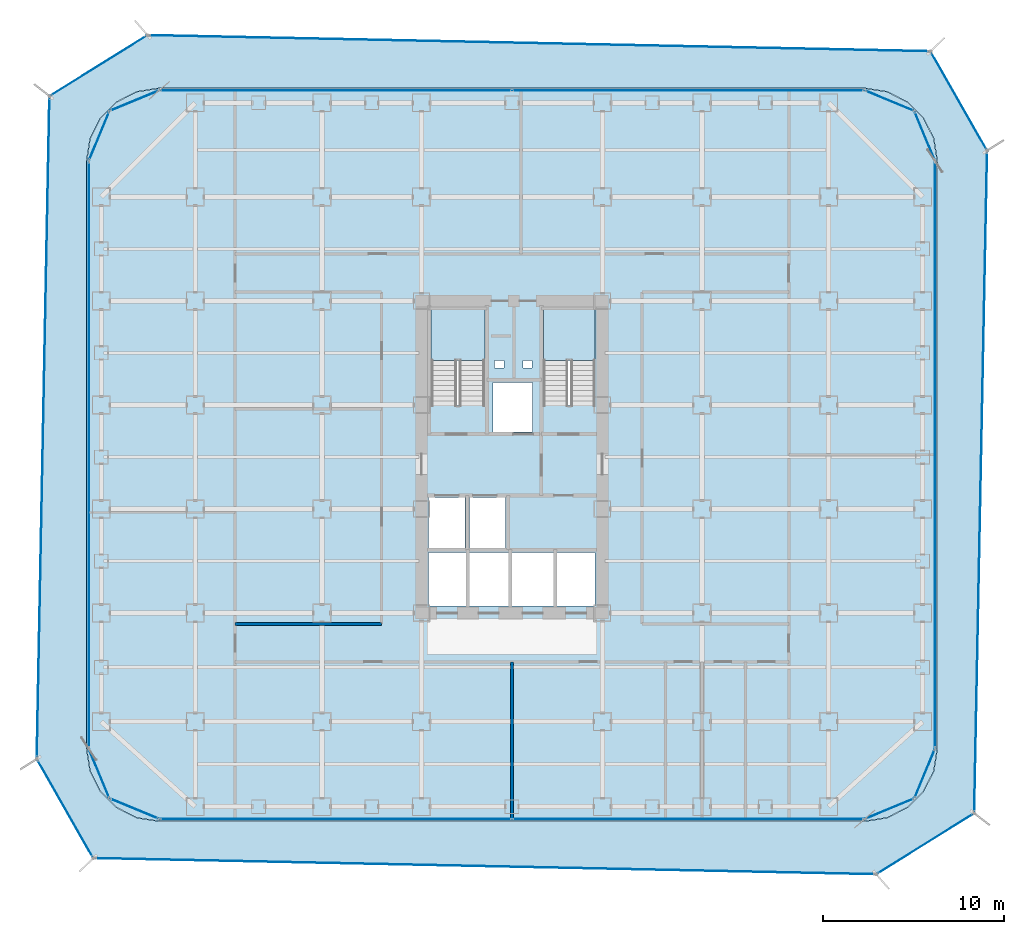
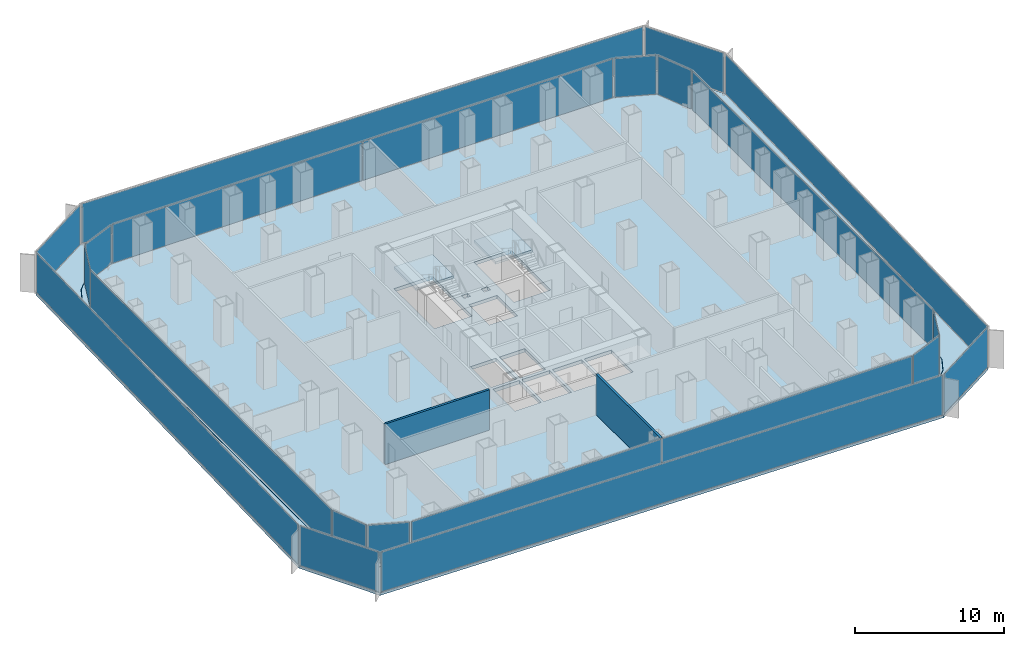
# One storey, part 16 of 21: 22 plates, 4 slabs, 2 walls, 22 elements without a shape of their own.
"""IFC4 building model written with IfcOpenShell, lengths in metres."""

import ifcopenshell
import ifcopenshell.guid

model = None  # the IFC model being written
_history = None  # IfcOwnerHistory: only IFC2X3 demands one
_inside = {}  # id of a spatial element -> (the spatial element, [elements in it])
_under = {}  # id of a project, library or spatial element -> (it, [spatial elements below it])
_declared = {}  # id of a project -> (the project, [libraries it declares])
_typed = {}  # id of a type object -> (the type object, [elements of that type])
_made_of = {}  # id of a material, layer set ... -> (it, [elements and type objects made of it])


def new_model(schema):
    """Start an empty IFC model of exactly this schema.

    Asked for "IFC4X3", IfcOpenShell would pick the latest addendum, in which some entities
    have other attributes; the version numbers below select the first issue.
    IFC2X3 requires an IfcOwnerHistory on every rooted entity: one is made here for all.
    """
    global model, _history
    if schema == "IFC4X3":
        model = ifcopenshell.file(schema_version=(4, 3, 0, 0))
    else:
        model = ifcopenshell.file(schema=schema)
    _inside.clear()
    _under.clear()
    _declared.clear()
    _typed.clear()
    _made_of.clear()
    _history = None
    if model.schema == "IFC2X3":
        org = make("IfcOrganization", Name="unknown")
        user = make(
            "IfcPersonAndOrganization",
            ThePerson=make("IfcPerson", FamilyName="unknown"),
            TheOrganization=org,
        )
        app = make(
            "IfcApplication",
            ApplicationDeveloper=org,
            Version="unknown",
            ApplicationFullName="unknown",
            ApplicationIdentifier="unknown",
        )
        _history = make(
            "IfcOwnerHistory",
            OwningUser=user,
            OwningApplication=app,
            ChangeAction="ADDED",
            CreationDate=0,
        )
    return model


def make(cls, **values):
    """One entity of the class cls with the attributes given. An attribute that is None is left unset."""
    return model.create_entity(
        cls, **{name: value for name, value in values.items() if value is not None}
    )


def rooted(cls, **values):
    """An entity with a GlobalId (a new one), such as an element, a storey or a relation."""
    return make(cls, GlobalId=ifcopenshell.guid.new(), OwnerHistory=_history, **values)


def si_unit(unit_type, name, prefix=None):
    """IfcSIUnit, for example si_unit("LENGTHUNIT", "METRE", prefix="MILLI")."""
    return make("IfcSIUnit", UnitType=unit_type, Prefix=prefix, Name=name)


def assignment(units):
    """IfcUnitAssignment: the units of a project."""
    return None if units is None else make("IfcUnitAssignment", Units=units)


def point(xyz):
    """IfcCartesianPoint."""
    return None if xyz is None else make("IfcCartesianPoint", Coordinates=xyz)


def direction(xyz):
    """IfcDirection."""
    return None if xyz is None else make("IfcDirection", DirectionRatios=xyz)


def frame(location, z_axis=None, x_axis=None):
    """IfcAxis2Placement3D, a coordinate frame: its origin and axes. An axis left out is left unset."""
    return make(
        "IfcAxis2Placement3D",
        Location=point(location),
        Axis=direction(z_axis),
        RefDirection=direction(x_axis),
    )


def frame_2d(location, x_axis=None):
    """IfcAxis2Placement2D, a coordinate frame in the plane: its origin and x axis."""
    return make(
        "IfcAxis2Placement2D", Location=point(location), RefDirection=direction(x_axis)
    )


def origin():
    """The frame at (0, 0, 0) with its axes left unset."""
    return frame((0.0, 0.0, 0.0))


def origin_2d():
    """The frame at (0, 0) in the plane with its x axis left unset."""
    return frame_2d((0.0, 0.0))


def place(relative_to, where):
    """IfcLocalPlacement: puts the frame where relative to a parent placement (None: the world)."""
    return make(
        "IfcLocalPlacement", PlacementRelTo=relative_to, RelativePlacement=where
    )


def context(
    kind, dimensions, precision=None, world=None, true_north=None, identifier=None
):
    """IfcGeometricRepresentationContext, for example the 3D "Model" context."""
    return make(
        "IfcGeometricRepresentationContext",
        ContextIdentifier=identifier,
        ContextType=kind,
        CoordinateSpaceDimension=dimensions,
        Precision=precision,
        WorldCoordinateSystem=world,
        TrueNorth=true_north,
    )


def subcontext(parent, identifier, kind, view, scale=None):
    """IfcGeometricRepresentationSubContext, for example "Body" below "Model"."""
    return make(
        "IfcGeometricRepresentationSubContext",
        ContextIdentifier=identifier,
        ContextType=kind,
        ParentContext=parent,
        TargetScale=scale,
        TargetView=view,
    )


def project(units=None, contexts=None):
    """IfcProject with its units and contexts."""
    return rooted(
        "IfcProject",
        Name="project",
        RepresentationContexts=contexts,
        UnitsInContext=assignment(units),
    )


def spatial(cls, under=None, at=None, **own):
    """A site, building, storey or space (cls), placed at a placement, below another one or the project."""
    s = rooted(cls, ObjectPlacement=at, **own)
    if under is not None:
        _under.setdefault(under.id(), (under, []))[1].append(s)
    return s


def polyline(points):
    """IfcPolyline through the points."""
    return make("IfcPolyline", Points=[point(p) for p in points])


def profile(cls, at=None, kind="AREA", **sizes):
    """A parametric profile (cls). Its sizes go by their IFC names, for example OverallWidth=200.0."""
    return make(cls, ProfileType=kind, Position=at, **sizes)


def rectangle(**sizes):
    """IfcRectangleProfileDef."""
    return profile("IfcRectangleProfileDef", **sizes)


def outline(outer, holes=None, kind="AREA"):
    """IfcArbitraryClosedProfileDef: a profile drawn as a closed curve; with holes, ...WithVoids."""
    if holes is None:
        return make("IfcArbitraryClosedProfileDef", ProfileType=kind, OuterCurve=outer)
    return make(
        "IfcArbitraryProfileDefWithVoids",
        ProfileType=kind,
        OuterCurve=outer,
        InnerCurves=holes,
    )


def extrude(swept, where, along, depth):
    """IfcExtrudedAreaSolid: the profile swept, set in the frame where, extruded along a direction by depth."""
    return make(
        "IfcExtrudedAreaSolid",
        SweptArea=swept,
        Position=where,
        ExtrudedDirection=direction(along),
        Depth=depth,
    )


def shape(context_of_items, identifier, shape_type, items):
    """IfcShapeRepresentation: the items that make up one representation, for example the "Body"."""
    return make(
        "IfcShapeRepresentation",
        ContextOfItems=context_of_items,
        RepresentationIdentifier=identifier,
        RepresentationType=shape_type,
        Items=items,
    )


def source(mapping_origin, context_of_items, identifier, shape_type, items):
    """IfcRepresentationMap: a shape defined once, which mapped items show again and again."""
    return make(
        "IfcRepresentationMap",
        MappingOrigin=mapping_origin,
        MappedRepresentation=shape(context_of_items, identifier, shape_type, items),
    )


def transform(
    local_origin,
    x_axis=None,
    y_axis=None,
    z_axis=None,
    scale=None,
    scale2=None,
    scale3=None,
    uniform=True,
):
    """IfcCartesianTransformationOperator3D, or its non-uniform kind. x_axis, y_axis, z_axis: its Axis1, 2, 3."""
    if uniform:
        return make(
            "IfcCartesianTransformationOperator3D",
            Axis1=direction(x_axis),
            Axis2=direction(y_axis),
            LocalOrigin=point(local_origin),
            Scale=scale,
            Axis3=direction(z_axis),
        )
    return make(
        "IfcCartesianTransformationOperator3DnonUniform",
        Axis1=direction(x_axis),
        Axis2=direction(y_axis),
        LocalOrigin=point(local_origin),
        Scale=scale,
        Axis3=direction(z_axis),
        Scale2=scale2,
        Scale3=scale3,
    )


def mapped(mapping_source, mapping_target):
    """IfcMappedItem: shows the shape of a source again, moved by a transform."""
    return make(
        "IfcMappedItem", MappingSource=mapping_source, MappingTarget=mapping_target
    )


def material(Name=None, Category=None):
    """IfcMaterial."""
    return make("IfcMaterial", Name=Name, Category=Category)


def layer(
    of_material, thickness, ventilated=None, Name=None, Category=None, Priority=None
):
    """IfcMaterialLayer: one layer of a wall or slab, of a material (None: an air gap)."""
    return make(
        "IfcMaterialLayer",
        Material=of_material,
        LayerThickness=thickness,
        IsVentilated=ventilated,
        Name=Name,
        Category=Category,
        Priority=Priority,
    )


def layer_set(layers, Name=None):
    """IfcMaterialLayerSet."""
    return make("IfcMaterialLayerSet", MaterialLayers=layers, LayerSetName=Name)


def made_of(thing, what):
    """Note that an element or type object is made of a material, layer set ...; save() writes the relation."""
    if what is not None:
        _made_of.setdefault(what.id(), (what, []))[1].append(thing)
    return thing


def type_object(cls, material=None, **own):
    """A type object (cls), such as IfcWallType, which elements share."""
    return made_of(rooted(cls, **own), material)


def element(
    cls,
    number,
    at=None,
    inside=None,
    cuts=None,
    type_object=None,
    material=None,
    context=None,
    identifier="Body",
    shape_type=None,
    held_by="IfcProductDefinitionShape",
    body=None,
    shapes=None,
    **own,
):
    """One element of the class cls, such as IfcWall. Its Tag is "e" and its number.

    at: its placement. inside: the storey or other place that contains it. cuts: it is an
    opening in that element (IfcRelVoidsElement). A single representation is given by context,
    identifier, shape_type and body (its items); several are given by shapes. held_by: the class
    of the entity that holds the representations. save() writes the other relations.
    """
    e = rooted(cls, Tag="e%d" % number, ObjectPlacement=at, **own)
    if body is not None:
        shapes = [shape(context, identifier, shape_type, body)]
    if shapes is not None:
        e.Representation = make(held_by, Representations=shapes)
    if inside is not None:
        _inside.setdefault(inside.id(), (inside, []))[1].append(e)
    if cuts is not None:
        rooted(
            "IfcRelVoidsElement", RelatingBuildingElement=cuts, RelatedOpeningElement=e
        )
    if type_object is not None:
        _typed.setdefault(type_object.id(), (type_object, []))[1].append(e)
    return made_of(e, material)


def aggregate(whole, parts):
    """IfcRelAggregates: a whole, such as a stair, and the parts it consists of."""
    return rooted("IfcRelAggregates", RelatingObject=whole, RelatedObjects=parts)


def save(model, path):
    """Write the relations noted so far, then the file.

    IfcRelAggregates (storeys below a building ...), IfcRelContainedInSpatialStructure (elements
    in a storey), IfcRelDefinesByType, IfcRelAssociatesMaterial and IfcRelDeclares: one each for
    every whole, place, type object, material and project.
    """
    for whole, parts in _under.values():
        aggregate(whole, parts)
    for where, things in _inside.values():
        rooted(
            "IfcRelContainedInSpatialStructure",
            RelatedElements=things,
            RelatingStructure=where,
        )
    for kind, things in _typed.values():
        rooted("IfcRelDefinesByType", RelatedObjects=things, RelatingType=kind)
    for what, things in _made_of.values():
        rooted("IfcRelAssociatesMaterial", RelatedObjects=things, RelatingMaterial=what)
    for by, libraries in _declared.values():
        rooted("IfcRelDeclares", RelatingContext=by, RelatedDefinitions=libraries)
    model.write(path)


model = new_model("IFC4")

# Units and contexts
model_context = context("Model", 3, precision=1e-05, world=origin(), true_north=direction((0.0, 1.0)))
body_context = subcontext(model_context, "Body", "Model", "MODEL_VIEW")
ifc_project = project(units=[si_unit("LENGTHUNIT", "METRE"), si_unit("AREAUNIT", "SQUARE_METRE"), si_unit("VOLUMEUNIT", "CUBIC_METRE"), si_unit("PLANEANGLEUNIT", "RADIAN"), si_unit("MASSUNIT", "GRAM", prefix="KILO")], contexts=[model_context])

# Site, building, storey
site_placement = place(None, origin())
site = spatial("IfcSite", under=ifc_project, at=site_placement, CompositionType="ELEMENT")
building_placement = place(site_placement, origin())
building = spatial("IfcBuilding", under=site, at=building_placement, Name="Kolveth Station Tower", CompositionType="ELEMENT")
storey_placement = place(building_placement, frame((0.0, 0.0, 26.10009765625)))
storey = spatial("IfcBuildingStorey", under=building, at=storey_placement, Name="L06", CompositionType="ELEMENT", Elevation=26.10009765625)

# Slab
ifc_material_1 = material(Name="Concrete C45/55", Category="concrete")
ifc_layer_1 = layer(ifc_material_1, 0.280029296875)
ifc_layer_set_1 = layer_set([ifc_layer_1], Name="Concrete C45/55")
slab_type_1 = type_object("IfcSlabType", Name="Slab_SF-280", PredefinedType="FLOOR", material=ifc_layer_set_1)
slab_1_placement = place(storey_placement, frame((0.0, 0.0, -0.280029296875)))
element("IfcSlab", 1, at=slab_1_placement, inside=storey, type_object=slab_type_1, Name="L06 Tower Structural Floor Slab", PredefinedType="FLOOR", context=body_context, shape_type="SweptSolid", body=[
    extrude(outline(polyline([(43.0, 0.0), (44.236083984375, 0.19580078125), (45.35107421875, 0.763916015625), (46.236083984375, 1.64892578125), (46.80419921875, 2.763916015625), (47.0, 4.0), (47.0, 36.5), (46.80419921875, 37.736083984375), (46.236083984375, 38.85107421875), (45.35107421875, 39.736083984375), (44.236083984375, 40.30419921875), (43.0, 40.5), (4.0, 40.5), (2.763916015625, 40.30419921875), (1.64892578125, 39.736083984375), (0.763916015625, 38.85107421875), (0.19580078125, 37.736083984375), (0.0, 36.5), (0.0, 4.0), (0.19580078125, 2.763916015625), (0.763916015625, 1.64892578125), (1.64892578125, 0.763916015625), (2.763916015625, 0.19580078125), (4.0, 0.0), (43.0, 0.0)]), holes=[polyline([(19.0400390625, 22.985107421875), (22.0, 22.985107421875), (22.0, 28.39990234375), (19.0400390625, 28.39990234375), (19.0400390625, 22.985107421875)]), polyline([(25.239990234375, 22.985107421875), (28.10009765625, 22.985107421875), (28.10009765625, 28.39990234375), (25.239990234375, 28.39990234375), (25.239990234375, 22.985107421875)]), polyline([(18.89990234375, 15.10009765625), (20.89990234375, 15.10009765625), (20.89990234375, 17.89990234375), (18.89990234375, 17.89990234375), (18.89990234375, 15.10009765625)]), polyline([(21.14990234375, 15.10009765625), (23.14990234375, 15.10009765625), (23.14990234375, 17.89990234375), (21.14990234375, 17.89990234375), (21.14990234375, 15.10009765625)]), polyline([(22.449951171875, 21.5), (24.64990234375, 21.5), (24.64990234375, 24.25), (22.449951171875, 24.25), (22.449951171875, 21.5)]), polyline([(18.89990234375, 11.89990234375), (20.949951171875, 11.89990234375), (20.949951171875, 14.85009765625), (18.89990234375, 14.85009765625), (18.89990234375, 11.89990234375)]), polyline([(21.14990234375, 11.89990234375), (23.300048828125, 11.89990234375), (23.300048828125, 14.85009765625), (21.14990234375, 14.85009765625), (21.14990234375, 11.89990234375)]), polyline([(23.5, 11.89990234375), (25.800048828125, 11.89990234375), (25.800048828125, 14.85009765625), (23.5, 14.85009765625), (23.5, 11.89990234375)]), polyline([(26.0, 11.89990234375), (28.10009765625, 11.89990234375), (28.10009765625, 14.85009765625), (26.0, 14.85009765625), (26.0, 11.89990234375)]), polyline([(22.550048828125, 25.050048828125), (23.050048828125, 25.050048828125), (23.050048828125, 25.449951171875), (22.550048828125, 25.449951171875), (22.550048828125, 25.050048828125)]), polyline([(24.10009765625, 25.050048828125), (24.60009765625, 25.050048828125), (24.60009765625, 25.449951171875), (24.10009765625, 25.449951171875), (24.10009765625, 25.050048828125)])]), origin(), (0.0, 0.0, 1.0), 0.280029296875),
])

# Stair, slab
ifc_material_2 = material(Name="Concrete C40/50", Category="concrete")
stair_type_1 = type_object("IfcStairType", Name="Stair_ST2", PredefinedType="HALF_TURN_STAIR", material=ifc_material_2)
stair_1_placement = place(storey_placement, origin())
stair_1 = element("IfcStair", 2, at=stair_1_placement, inside=storey, type_object=stair_type_1, Name="L06 Tower Exit Stair ST2", PredefinedType="HALF_TURN_STAIR")
ifc_layer_2 = layer(ifc_material_2, 0.18994140625)
ifc_layer_set_2 = layer_set([ifc_layer_2], Name="Concrete C40/50")
slab_type_2 = type_object("IfcSlabType", Name="Slab_SL-190", PredefinedType="LANDING", material=ifc_layer_set_2)
slab_2_placement = place(storey_placement, frame((0.0, 0.0, 1.599853515625)))
slab_2 = element("IfcSlab", 3, at=slab_2_placement, type_object=slab_type_2, Name="ST2 landing 1", PredefinedType="LANDING", context=body_context, shape_type="SweptSolid", body=[
    extrude(outline(polyline([(28.10009765625, 25.469970703125), (28.10009765625, 28.39990234375), (25.239990234375, 28.39990234375), (25.239990234375, 25.469970703125), (28.10009765625, 25.469970703125)])), origin(), (0.0, 0.0, 1.0), 0.199951171875),
])
aggregate(stair_1, [slab_2])

stair_type_2 = type_object("IfcStairType", Name="Stair_ST1", PredefinedType="HALF_TURN_STAIR", material=ifc_material_2)
stair_2_placement = place(storey_placement, origin())
stair_2 = element("IfcStair", 4, at=stair_2_placement, inside=storey, type_object=stair_type_2, Name="L06 Tower Exit Stair ST1", PredefinedType="HALF_TURN_STAIR")
ifc_layer_3 = layer(ifc_material_2, 0.205078125)
ifc_layer_set_3 = layer_set([ifc_layer_3], Name="Concrete C40/50")
slab_type_3 = type_object("IfcSlabType", Name="Slab_SL-205", PredefinedType="LANDING", material=ifc_layer_set_3)
slab_3_placement = place(storey_placement, frame((0.0, 0.0, 1.599853515625)))
slab_3 = element("IfcSlab", 5, at=slab_3_placement, type_object=slab_type_3, Name="ST1 landing 1", PredefinedType="LANDING", context=body_context, shape_type="SweptSolid", body=[
    extrude(outline(polyline([(22.0, 25.469970703125), (22.0, 28.39990234375), (19.0400390625, 28.39990234375), (19.0400390625, 25.469970703125), (22.0, 25.469970703125)])), origin(), (0.0, 0.0, 1.0), 0.199951171875),
])
aggregate(stair_2, [slab_3])

# Slab
ifc_layer_4 = layer(ifc_material_2, 0.2099609375)
ifc_layer_set_4 = layer_set([ifc_layer_4], Name="Concrete C40/50")
slab_type_4 = type_object("IfcSlabType", Name="Slab_ST-210", PredefinedType="FLOOR", material=ifc_layer_set_4)
slab_4_placement = place(storey_placement, frame((0.0, 0.0, -0.210205078125)))
element("IfcSlab", 6, at=slab_4_placement, inside=storey, type_object=slab_type_4, Name="L06 Double-Skin Cavity Structural Ledger Ring", PredefinedType="FLOOR", context=body_context, shape_type="SweptSolid", body=[
    extrude(outline(polyline([(0.365966796875, -2.04541015625), (-2.7578125, 3.444091796875), (-2.056640625, 40.0673828125), (3.363037109375, 43.435791015625), (46.634033203125, 42.54541015625), (49.7646484375, 37.056640625), (49.051513671875, 0.435546875), (43.63720703125, -2.9375), (0.365966796875, -2.04541015625)]), holes=[polyline([(43.002197265625, -0.014892578125), (44.23828125, 0.180908203125), (44.242919921875, 0.182373046875), (45.35791015625, 0.75048828125), (45.36181640625, 0.75341796875), (46.24658203125, 1.63818359375), (46.24951171875, 1.64208984375), (46.817626953125, 2.757080078125), (46.819091796875, 2.76171875), (47.014892578125, 3.997802734375), (47.014892578125, 4.0), (47.014892578125, 36.5), (47.014892578125, 36.502197265625), (46.819091796875, 37.73828125), (46.817626953125, 37.742919921875), (46.24951171875, 38.85791015625), (46.24658203125, 38.86181640625), (45.36181640625, 39.74658203125), (45.35791015625, 39.74951171875), (44.242919921875, 40.317626953125), (44.23828125, 40.319091796875), (43.002197265625, 40.514892578125), (43.0, 40.514892578125), (4.0, 40.514892578125), (3.997802734375, 40.514892578125), (2.76171875, 40.319091796875), (2.757080078125, 40.317626953125), (1.64208984375, 39.74951171875), (1.63818359375, 39.74658203125), (0.75341796875, 38.86181640625), (0.75048828125, 38.85791015625), (0.182373046875, 37.742919921875), (0.180908203125, 37.73828125), (-0.014892578125, 36.502197265625), (-0.014892578125, 36.5), (-0.014892578125, 4.0), (-0.014892578125, 3.997802734375), (0.180908203125, 2.76171875), (0.182373046875, 2.757080078125), (0.75048828125, 1.64208984375), (0.75341796875, 1.63818359375), (1.63818359375, 0.75341796875), (1.64208984375, 0.75048828125), (2.757080078125, 0.182373046875), (2.76171875, 0.180908203125), (3.997802734375, -0.014892578125), (4.0, -0.014892578125), (43.0, -0.014892578125), (43.002197265625, -0.014892578125)])]), origin(), (0.0, 0.0, 1.0), 0.210205078125),
])

# Curtain wall, plate
ifc_material_3 = material(Name="Aluminium 6063-T6 and low-E dark glass", Category="aluminium")
ifc_layer_5 = layer(ifc_material_3, 0.179931640625)
ifc_layer_set_5 = layer_set([ifc_layer_5], Name="Aluminium 6063-T6 and low-E dark glass")
curtain_wall_type_1 = type_object("IfcCurtainWallType", Name="CurtainWall_CW-Z1", PredefinedType="NOTDEFINED", material=ifc_layer_set_5)
curtain_wall_1_placement = place(storey_placement, origin())
curtain_wall_1 = element("IfcCurtainWall", 7, at=curtain_wall_1_placement, inside=storey, type_object=curtain_wall_type_1, Name="L06 Inner Thermal Curtain Wall 1", PredefinedType="NOTDEFINED")
ifc_material_4 = material(Name="Architectural low-E dark glass", Category="glass")
ifc_layer_6 = layer(ifc_material_4, 0.035888671875)
ifc_layer_set_6 = layer_set([ifc_layer_6], Name="Architectural low-E dark glass")
plate_type_1 = type_object("IfcPlateType", Name="Panel_GL1", PredefinedType="CURTAIN_PANEL", material=ifc_layer_set_6)
shared_shape_1 = source(origin(), body_context, "Body", "SweptSolid", [
    extrude(rectangle(XDim=2.83349609375, YDim=0.035888671875, at=origin_2d()), origin(), (0.0, 0.0, 1.0), 3.18408203125),
])
plate_1_placement = place(storey_placement, frame((44.371826171875, 0.688232421875, 0.06787109375), z_axis=(0.0, 0.0, 1.0), x_axis=(0.923883857728, 0.382672990201, 0.0)))
plate_1 = element("IfcPlate", 8, at=plate_1_placement, type_object=plate_type_1, Name="CW-Z1 panel 1.1", PredefinedType="CURTAIN_PANEL", context=body_context, shape_type="MappedRepresentation", body=[
    mapped(shared_shape_1, transform((0.0, 0.0, 0.0), x_axis=(1.0, 0.0, 0.0), y_axis=(0.0, 1.0, 0.0), z_axis=(0.0, 0.0, 1.0), scale=1.0)),
])
aggregate(curtain_wall_1, [plate_1])

curtain_wall_2_placement = place(storey_placement, origin())
curtain_wall_2 = element("IfcCurtainWall", 9, at=curtain_wall_2_placement, inside=storey, type_object=curtain_wall_type_1, Name="L06 Inner Thermal Curtain Wall 2", PredefinedType="NOTDEFINED")
plate_2_placement = place(storey_placement, frame((46.311767578125, 2.628173828125, 0.06787109375), z_axis=(0.0, 0.0, 1.0), x_axis=(0.382672990201, 0.923883857728, 0.0)))
plate_2 = element("IfcPlate", 10, at=plate_2_placement, type_object=plate_type_1, Name="CW-Z1 panel 1.1", PredefinedType="CURTAIN_PANEL", context=body_context, shape_type="MappedRepresentation", body=[
    mapped(shared_shape_1, transform((0.0, 0.0, 0.0), x_axis=(1.0, 0.0, 0.0), y_axis=(0.0, 1.0, 0.0), z_axis=(0.0, 0.0, 1.0), scale=1.0)),
])
aggregate(curtain_wall_2, [plate_2])

curtain_wall_3_placement = place(storey_placement, origin())
curtain_wall_3 = element("IfcCurtainWall", 11, at=curtain_wall_3_placement, inside=storey, type_object=curtain_wall_type_1, Name="L06 Inner Thermal Curtain Wall 4", PredefinedType="NOTDEFINED")
plate_3_placement = place(storey_placement, frame((46.311767578125, 37.871826171875, 0.06787109375), z_axis=(0.0, 0.0, 1.0), x_axis=(-0.382672990201, 0.923883857728, 0.0)))
plate_3 = element("IfcPlate", 12, at=plate_3_placement, type_object=plate_type_1, Name="CW-Z1 panel 1.1", PredefinedType="CURTAIN_PANEL", context=body_context, shape_type="MappedRepresentation", body=[
    mapped(shared_shape_1, transform((0.0, 0.0, 0.0), x_axis=(1.0, 0.0, 0.0), y_axis=(0.0, 1.0, 0.0), z_axis=(0.0, 0.0, 1.0), scale=1.0)),
])
aggregate(curtain_wall_3, [plate_3])

curtain_wall_4_placement = place(storey_placement, origin())
curtain_wall_4 = element("IfcCurtainWall", 13, at=curtain_wall_4_placement, inside=storey, type_object=curtain_wall_type_1, Name="L06 Inner Thermal Curtain Wall 5", PredefinedType="NOTDEFINED")
plate_4_placement = place(storey_placement, frame((44.371826171875, 39.811767578125, 0.06787109375), z_axis=(0.0, 0.0, 1.0), x_axis=(-0.923883857728, 0.382672990201, 0.0)))
plate_4 = element("IfcPlate", 14, at=plate_4_placement, type_object=plate_type_1, Name="CW-Z1 panel 1.1", PredefinedType="CURTAIN_PANEL", context=body_context, shape_type="MappedRepresentation", body=[
    mapped(shared_shape_1, transform((0.0, 0.0, 0.0), x_axis=(1.0, 0.0, 0.0), y_axis=(0.0, 1.0, 0.0), z_axis=(0.0, 0.0, 1.0), scale=1.0)),
])
aggregate(curtain_wall_4, [plate_4])

curtain_wall_5_placement = place(storey_placement, origin())
curtain_wall_5 = element("IfcCurtainWall", 15, at=curtain_wall_5_placement, inside=storey, type_object=curtain_wall_type_1, Name="L06 Inner Thermal Curtain Wall 7", PredefinedType="NOTDEFINED")
plate_5_placement = place(storey_placement, frame((2.628173828125, 39.811767578125, 0.06787109375), z_axis=(0.0, 0.0, 1.0), x_axis=(-0.923883857728, -0.382672990201, 0.0)))
plate_5 = element("IfcPlate", 16, at=plate_5_placement, type_object=plate_type_1, Name="CW-Z1 panel 1.1", PredefinedType="CURTAIN_PANEL", context=body_context, shape_type="MappedRepresentation", body=[
    mapped(shared_shape_1, transform((0.0, 0.0, 0.0), x_axis=(1.0, 0.0, 0.0), y_axis=(0.0, 1.0, 0.0), z_axis=(0.0, 0.0, 1.0), scale=1.0)),
])
aggregate(curtain_wall_5, [plate_5])

curtain_wall_6_placement = place(storey_placement, origin())
curtain_wall_6 = element("IfcCurtainWall", 17, at=curtain_wall_6_placement, inside=storey, type_object=curtain_wall_type_1, Name="L06 Inner Thermal Curtain Wall 8", PredefinedType="NOTDEFINED")
plate_6_placement = place(storey_placement, frame((0.688232421875, 37.871826171875, 0.06787109375), z_axis=(0.0, 0.0, 1.0), x_axis=(-0.382672990201, -0.923883857728, 0.0)))
plate_6 = element("IfcPlate", 18, at=plate_6_placement, type_object=plate_type_1, Name="CW-Z1 panel 1.1", PredefinedType="CURTAIN_PANEL", context=body_context, shape_type="MappedRepresentation", body=[
    mapped(shared_shape_1, transform((0.0, 0.0, 0.0), x_axis=(1.0, 0.0, 0.0), y_axis=(0.0, 1.0, 0.0), z_axis=(0.0, 0.0, 1.0), scale=1.0)),
])
aggregate(curtain_wall_6, [plate_6])

curtain_wall_7_placement = place(storey_placement, origin())
curtain_wall_7 = element("IfcCurtainWall", 19, at=curtain_wall_7_placement, inside=storey, type_object=curtain_wall_type_1, Name="L06 Inner Thermal Curtain Wall 10", PredefinedType="NOTDEFINED")
plate_7_placement = place(storey_placement, frame((0.688232421875, 2.628173828125, 0.06787109375), z_axis=(0.0, 0.0, 1.0), x_axis=(0.382672990201, -0.923883857728, 0.0)))
plate_7 = element("IfcPlate", 20, at=plate_7_placement, type_object=plate_type_1, Name="CW-Z1 panel 1.1", PredefinedType="CURTAIN_PANEL", context=body_context, shape_type="MappedRepresentation", body=[
    mapped(shared_shape_1, transform((0.0, 0.0, 0.0), x_axis=(1.0, 0.0, 0.0), y_axis=(0.0, 1.0, 0.0), z_axis=(0.0, 0.0, 1.0), scale=1.0)),
])
aggregate(curtain_wall_7, [plate_7])

curtain_wall_8_placement = place(storey_placement, origin())
curtain_wall_8 = element("IfcCurtainWall", 21, at=curtain_wall_8_placement, inside=storey, type_object=curtain_wall_type_1, Name="L06 Inner Thermal Curtain Wall 11", PredefinedType="NOTDEFINED")
plate_8_placement = place(storey_placement, frame((2.628173828125, 0.688232421875, 0.06787109375), z_axis=(0.0, 0.0, 1.0), x_axis=(0.923883857728, -0.382672990201, 0.0)))
plate_8 = element("IfcPlate", 22, at=plate_8_placement, type_object=plate_type_1, Name="CW-Z1 panel 1.1", PredefinedType="CURTAIN_PANEL", context=body_context, shape_type="MappedRepresentation", body=[
    mapped(shared_shape_1, transform((0.0, 0.0, 0.0), x_axis=(1.0, 0.0, 0.0), y_axis=(0.0, 1.0, 0.0), z_axis=(0.0, 0.0, 1.0), scale=1.0)),
])
aggregate(curtain_wall_8, [plate_8])

curtain_wall_9_placement = place(storey_placement, origin())
curtain_wall_9 = element("IfcCurtainWall", 23, at=curtain_wall_9_placement, inside=storey, type_object=curtain_wall_type_1, Name="L06 Inner Thermal Curtain Wall 3", PredefinedType="NOTDEFINED")
shared_shape_2 = source(origin(), body_context, "Body", "SweptSolid", [
    extrude(rectangle(XDim=32.364013671875, YDim=0.035888671875, at=origin_2d()), origin(), (0.0, 0.0, 1.0), 3.18408203125),
])
plate_9_placement = place(storey_placement, frame((46.8798828125, 20.25, 0.06787109375), z_axis=(0.0, 0.0, 1.0), x_axis=(0.0, 1.0, 0.0)))
plate_9 = element("IfcPlate", 24, at=plate_9_placement, type_object=plate_type_1, Name="CW-Z1 panel 1.1", PredefinedType="CURTAIN_PANEL", context=body_context, shape_type="MappedRepresentation", body=[
    mapped(shared_shape_2, transform((0.0, 0.0, 0.0), x_axis=(1.0, 0.0, 0.0), y_axis=(0.0, 1.0, 0.0), z_axis=(0.0, 0.0, 1.0), scale=1.0)),
])
aggregate(curtain_wall_9, [plate_9])

curtain_wall_10_placement = place(storey_placement, origin())
curtain_wall_10 = element("IfcCurtainWall", 25, at=curtain_wall_10_placement, inside=storey, type_object=curtain_wall_type_1, Name="L06 Inner Thermal Curtain Wall 9", PredefinedType="NOTDEFINED")
plate_10_placement = place(storey_placement, frame((0.1201171875, 20.25, 0.06787109375), z_axis=(0.0, 0.0, 1.0), x_axis=(0.0, -1.0, 0.0)))
plate_10 = element("IfcPlate", 26, at=plate_10_placement, type_object=plate_type_1, Name="CW-Z1 panel 1.1", PredefinedType="CURTAIN_PANEL", context=body_context, shape_type="MappedRepresentation", body=[
    mapped(shared_shape_2, transform((0.0, 0.0, 0.0), x_axis=(1.0, 0.0, 0.0), y_axis=(0.0, 1.0, 0.0), z_axis=(0.0, 0.0, 1.0), scale=1.0)),
])
aggregate(curtain_wall_10, [plate_10])

# Curtain wall, plates
curtain_wall_11_placement = place(storey_placement, origin())
curtain_wall_11 = element("IfcCurtainWall", 27, at=curtain_wall_11_placement, inside=storey, type_object=curtain_wall_type_1, Name="L06 Inner Thermal Curtain Wall 6", PredefinedType="NOTDEFINED")
shared_shape_3 = source(origin(), body_context, "Body", "SweptSolid", [
    extrude(rectangle(XDim=19.401611328125, YDim=0.035888671875, at=origin_2d()), origin(), (0.0, 0.0, 1.0), 3.18408203125),
])
plate_11_placement = place(storey_placement, frame((33.231201171875, 40.3798828125, 0.06787109375), z_axis=(0.0, 0.0, 1.0), x_axis=(-1.0, 0.0, 0.0)))
plate_11 = element("IfcPlate", 28, at=plate_11_placement, type_object=plate_type_1, Name="CW-Z1 panel 1.1", PredefinedType="CURTAIN_PANEL", context=body_context, shape_type="MappedRepresentation", body=[
    mapped(shared_shape_3, transform((0.0, 0.0, 0.0), x_axis=(1.0, 0.0, 0.0), y_axis=(0.0, 1.0, 0.0), z_axis=(0.0, 0.0, 1.0), scale=1.0)),
])
plate_12_placement = place(storey_placement, frame((13.768798828125, 40.3798828125, 0.06787109375), z_axis=(0.0, 0.0, 1.0), x_axis=(-1.0, 0.0, 0.0)))
plate_12 = element("IfcPlate", 29, at=plate_12_placement, type_object=plate_type_1, Name="CW-Z1 panel 2.1", PredefinedType="CURTAIN_PANEL", context=body_context, shape_type="MappedRepresentation", body=[
    mapped(shared_shape_3, transform((0.0, 0.0, 0.0), x_axis=(1.0, 0.0, 0.0), y_axis=(0.0, 1.0, 0.0), z_axis=(0.0, 0.0, 1.0), scale=1.0)),
])
aggregate(curtain_wall_11, [plate_11, plate_12])

curtain_wall_12_placement = place(storey_placement, origin())
curtain_wall_12 = element("IfcCurtainWall", 30, at=curtain_wall_12_placement, inside=storey, type_object=curtain_wall_type_1, Name="L06 Inner Thermal Curtain Wall 12", PredefinedType="NOTDEFINED")
plate_13_placement = place(storey_placement, frame((13.768798828125, 0.1201171875, 0.06787109375), z_axis=(0.0, 0.0, 1.0), x_axis=(1.0, 0.0, 0.0)))
plate_13 = element("IfcPlate", 31, at=plate_13_placement, type_object=plate_type_1, Name="CW-Z1 panel 1.1", PredefinedType="CURTAIN_PANEL", context=body_context, shape_type="MappedRepresentation", body=[
    mapped(shared_shape_3, transform((0.0, 0.0, 0.0), x_axis=(1.0, 0.0, 0.0), y_axis=(0.0, 1.0, 0.0), z_axis=(0.0, 0.0, 1.0), scale=1.0)),
])
plate_14_placement = place(storey_placement, frame((33.231201171875, 0.1201171875, 0.06787109375), z_axis=(0.0, 0.0, 1.0), x_axis=(1.0, 0.0, 0.0)))
plate_14 = element("IfcPlate", 32, at=plate_14_placement, type_object=plate_type_1, Name="CW-Z1 panel 2.1", PredefinedType="CURTAIN_PANEL", context=body_context, shape_type="MappedRepresentation", body=[
    mapped(shared_shape_3, transform((0.0, 0.0, 0.0), x_axis=(1.0, 0.0, 0.0), y_axis=(0.0, 1.0, 0.0), z_axis=(0.0, 0.0, 1.0), scale=1.0)),
])
aggregate(curtain_wall_12, [plate_13, plate_14])

# Curtain wall, plate
ifc_material_5 = material(Name="Black anodized aluminium 6063-T6 and dark solar glass", Category="aluminium")
ifc_layer_7 = layer(ifc_material_5, 0.159912109375)
ifc_layer_set_7 = layer_set([ifc_layer_7], Name="Black anodized aluminium 6063-T6 and dark solar glass")
curtain_wall_type_2 = type_object("IfcCurtainWallType", Name="OUTER SKIN CW-OS", PredefinedType="NOTDEFINED", material=ifc_layer_set_7)
curtain_wall_13_placement = place(storey_placement, origin())
curtain_wall_13 = element("IfcCurtainWall", 33, at=curtain_wall_13_placement, inside=storey, type_object=curtain_wall_type_2, Name="L06 Outer Ventilated Skin Curtain Wall 1", PredefinedType="NOTDEFINED")
ifc_layer_8 = layer(ifc_material_4, 0.028076171875)
ifc_layer_set_8 = layer_set([ifc_layer_8], Name="Architectural low-E dark glass")
plate_type_2 = type_object("IfcPlateType", Name="Panel_GL-OS", PredefinedType="CURTAIN_PANEL", material=ifc_layer_set_8)
shared_shape_4 = source(origin(), body_context, "Body", "SweptSolid", [
    extrude(rectangle(XDim=6.213134765625, YDim=0.028076171875, at=origin_2d()), origin(), (0.0, 0.0, 1.0), 3.243896484375),
])
plate_15_placement = place(storey_placement, frame((46.34423828125, -1.2509765625, 0.07275390625), z_axis=(0.0, 0.0, 1.0), x_axis=(0.848776783492, 0.528751332674, 0.0)))
plate_15 = element("IfcPlate", 34, at=plate_15_placement, type_object=plate_type_2, Name="CW-OS panel 1.1", PredefinedType="CURTAIN_PANEL", context=body_context, shape_type="MappedRepresentation", body=[
    mapped(shared_shape_4, transform((0.0, 0.0, 0.0), x_axis=(1.0, 0.0, 0.0), y_axis=(0.0, 1.0, 0.0), z_axis=(0.0, 0.0, 1.0), scale=1.0)),
])
aggregate(curtain_wall_13, [plate_15])

curtain_wall_14_placement = place(storey_placement, origin())
curtain_wall_14 = element("IfcCurtainWall", 35, at=curtain_wall_14_placement, inside=storey, type_object=curtain_wall_type_2, Name="L06 Outer Ventilated Skin Curtain Wall 2", PredefinedType="NOTDEFINED")
shared_shape_5 = source(origin(), body_context, "Body", "SweptSolid", [
    extrude(rectangle(XDim=36.4619140625, YDim=0.028076171875, at=origin_2d()), origin(), (0.0, 0.0, 1.0), 3.243896484375),
])
plate_16_placement = place(storey_placement, frame((49.408203125, 18.74609375, 0.07275390625), z_axis=(0.0, 0.0, 1.0), x_axis=(0.01946874317, 0.999810466058, 0.0)))
plate_16 = element("IfcPlate", 36, at=plate_16_placement, type_object=plate_type_2, Name="CW-OS panel 1.1", PredefinedType="CURTAIN_PANEL", context=body_context, shape_type="MappedRepresentation", body=[
    mapped(shared_shape_5, transform((0.0, 0.0, 0.0), x_axis=(1.0, 0.0, 0.0), y_axis=(0.0, 1.0, 0.0), z_axis=(0.0, 0.0, 1.0), scale=1.0)),
])
aggregate(curtain_wall_14, [plate_16])

curtain_wall_15_placement = place(storey_placement, origin())
curtain_wall_15 = element("IfcCurtainWall", 37, at=curtain_wall_15_placement, inside=storey, type_object=curtain_wall_type_2, Name="L06 Outer Ventilated Skin Curtain Wall 3", PredefinedType="NOTDEFINED")
shared_shape_6 = source(origin(), body_context, "Body", "SweptSolid", [
    extrude(rectangle(XDim=6.15283203125, YDim=0.028076171875, at=origin_2d()), origin(), (0.0, 0.0, 1.0), 3.243896484375),
])
plate_17_placement = place(storey_placement, frame((48.199462890625, 39.801025390625, 0.07275390625), z_axis=(0.0, 0.0, 1.0), x_axis=(-0.495451952234, 0.868635345256, 0.0)))
plate_17 = element("IfcPlate", 38, at=plate_17_placement, type_object=plate_type_2, Name="CW-OS panel 1.1", PredefinedType="CURTAIN_PANEL", context=body_context, shape_type="MappedRepresentation", body=[
    mapped(shared_shape_6, transform((0.0, 0.0, 0.0), x_axis=(1.0, 0.0, 0.0), y_axis=(0.0, 1.0, 0.0), z_axis=(0.0, 0.0, 1.0), scale=1.0)),
])
aggregate(curtain_wall_15, [plate_17])

curtain_wall_16_placement = place(storey_placement, origin())
curtain_wall_16 = element("IfcCurtainWall", 39, at=curtain_wall_16_placement, inside=storey, type_object=curtain_wall_type_2, Name="L06 Outer Ventilated Skin Curtain Wall 4", PredefinedType="NOTDEFINED")
shared_shape_7 = source(origin(), body_context, "Body", "SweptSolid", [
    extrude(rectangle(XDim=43.114013671875, YDim=0.028076171875, at=origin_2d()), origin(), (0.0, 0.0, 1.0), 3.243896484375),
])
plate_18_placement = place(storey_placement, frame((24.99853515625, 42.99072265625, 0.07275390625), z_axis=(0.0, 0.0, 1.0), x_axis=(-0.999788306233, 0.020575293939, 0.0)))
plate_18 = element("IfcPlate", 40, at=plate_18_placement, type_object=plate_type_2, Name="CW-OS panel 1.1", PredefinedType="CURTAIN_PANEL", context=body_context, shape_type="MappedRepresentation", body=[
    mapped(shared_shape_7, transform((0.0, 0.0, 0.0), x_axis=(1.0, 0.0, 0.0), y_axis=(0.0, 1.0, 0.0), z_axis=(0.0, 0.0, 1.0), scale=1.0)),
])
aggregate(curtain_wall_16, [plate_18])

curtain_wall_17_placement = place(storey_placement, origin())
curtain_wall_17 = element("IfcCurtainWall", 41, at=curtain_wall_17_placement, inside=storey, type_object=curtain_wall_type_2, Name="L06 Outer Ventilated Skin Curtain Wall 5", PredefinedType="NOTDEFINED")
shared_shape_8 = source(origin(), body_context, "Body", "SweptSolid", [
    extrude(rectangle(XDim=6.21533203125, YDim=0.028076171875, at=origin_2d()), origin(), (0.0, 0.0, 1.0), 3.243896484375),
])
plate_19_placement = place(storey_placement, frame((0.6533203125, 41.751708984375, 0.07275390625), z_axis=(0.0, 0.0, 1.0), x_axis=(-0.849325011741, -0.527870272351, 0.0)))
plate_19 = element("IfcPlate", 42, at=plate_19_placement, type_object=plate_type_2, Name="CW-OS panel 1.1", PredefinedType="CURTAIN_PANEL", context=body_context, shape_type="MappedRepresentation", body=[
    mapped(shared_shape_8, transform((0.0, 0.0, 0.0), x_axis=(1.0, 0.0, 0.0), y_axis=(0.0, 1.0, 0.0), z_axis=(0.0, 0.0, 1.0), scale=1.0)),
])
aggregate(curtain_wall_17, [plate_19])

curtain_wall_18_placement = place(storey_placement, origin())
curtain_wall_18 = element("IfcCurtainWall", 43, at=curtain_wall_18_placement, inside=storey, type_object=curtain_wall_type_2, Name="L06 Outer Ventilated Skin Curtain Wall 6", PredefinedType="NOTDEFINED")
shared_shape_9 = source(origin(), body_context, "Body", "SweptSolid", [
    extrude(rectangle(XDim=36.4638671875, YDim=0.028076171875, at=origin_2d()), origin(), (0.0, 0.0, 1.0), 3.243896484375),
])
plate_20_placement = place(storey_placement, frame((-2.4072265625, 21.755859375, 0.07275390625), z_axis=(0.0, 0.0, 1.0), x_axis=(-0.019140096078, -0.999816811582, 0.0)))
plate_20 = element("IfcPlate", 44, at=plate_20_placement, type_object=plate_type_2, Name="CW-OS panel 1.1", PredefinedType="CURTAIN_PANEL", context=body_context, shape_type="MappedRepresentation", body=[
    mapped(shared_shape_9, transform((0.0, 0.0, 0.0), x_axis=(1.0, 0.0, 0.0), y_axis=(0.0, 1.0, 0.0), z_axis=(0.0, 0.0, 1.0), scale=1.0)),
])
aggregate(curtain_wall_18, [plate_20])

curtain_wall_19_placement = place(storey_placement, origin())
curtain_wall_19 = element("IfcCurtainWall", 45, at=curtain_wall_19_placement, inside=storey, type_object=curtain_wall_type_2, Name="L06 Outer Ventilated Skin Curtain Wall 7", PredefinedType="NOTDEFINED")
shared_shape_10 = source(origin(), body_context, "Body", "SweptSolid", [
    extrude(rectangle(XDim=6.150146484375, YDim=0.028076171875, at=origin_2d()), origin(), (0.0, 0.0, 1.0), 3.243896484375),
])
plate_21_placement = place(storey_placement, frame((-1.19580078125, 0.699462890625, 0.07275390625), z_axis=(0.0, 0.0, 1.0), x_axis=(0.494572915468, -0.869136140823, 0.0)))
plate_21 = element("IfcPlate", 46, at=plate_21_placement, type_object=plate_type_2, Name="CW-OS panel 1.1", PredefinedType="CURTAIN_PANEL", context=body_context, shape_type="MappedRepresentation", body=[
    mapped(shared_shape_10, transform((0.0, 0.0, 0.0), x_axis=(1.0, 0.0, 0.0), y_axis=(0.0, 1.0, 0.0), z_axis=(0.0, 0.0, 1.0), scale=1.0)),
])
aggregate(curtain_wall_19, [plate_21])

curtain_wall_20_placement = place(storey_placement, origin())
curtain_wall_20 = element("IfcCurtainWall", 47, at=curtain_wall_20_placement, inside=storey, type_object=curtain_wall_type_2, Name="L06 Outer Ventilated Skin Curtain Wall 8", PredefinedType="NOTDEFINED")
shared_shape_11 = source(origin(), body_context, "Body", "SweptSolid", [
    extrude(rectangle(XDim=43.1142578125, YDim=0.028076171875, at=origin_2d()), origin(), (0.0, 0.0, 1.0), 3.243896484375),
])
plate_22_placement = place(storey_placement, frame((22.00146484375, -2.491455078125, 0.07275390625), z_axis=(0.0, 0.0, 1.0), x_axis=(0.999787594648, -0.020609842001, 0.0)))
plate_22 = element("IfcPlate", 48, at=plate_22_placement, type_object=plate_type_2, Name="CW-OS panel 1.1", PredefinedType="CURTAIN_PANEL", context=body_context, shape_type="MappedRepresentation", body=[
    mapped(shared_shape_11, transform((0.0, 0.0, 0.0), x_axis=(1.0, 0.0, 0.0), y_axis=(0.0, 1.0, 0.0), z_axis=(0.0, 0.0, 1.0), scale=1.0)),
])
aggregate(curtain_wall_20, [plate_22])

# Walls
ifc_material_6 = material(Name="Acoustic double-stud gypsum partition")
ifc_layer_9 = layer(ifc_material_6, 0.1650390625)
ifc_layer_set_9 = layer_set([ifc_layer_9], Name="Acoustic double-stud gypsum partition")
wall_type = type_object("IfcWallType", Name="Wall_IW-165", PredefinedType="PARTITIONING", material=ifc_layer_set_9)
wall_1_placement = place(storey_placement, frame((8.199951171875, 10.89990234375, 0.0), z_axis=(0.0, 0.0, 1.0), x_axis=(1.0, 0.0, 0.0)))
element("IfcWall", 49, at=wall_1_placement, inside=storey, type_object=wall_type, Name="L06 Partition Wall WL-L06-OSWT", PredefinedType="PARTITIONING", context=body_context, shape_type="SweptSolid", body=[
    extrude(rectangle(XDim=8.10009765625, YDim=0.1650390625, at=frame_2d((4.050048828125, 0.0))), origin(), (0.0, 0.0, 1.0), 3.31982421875),
])
wall_2_placement = place(storey_placement, frame((23.5, 0.159912109375, 0.0), z_axis=(0.0, 0.0, 1.0), x_axis=(0.0, 1.0, 0.0)))
element("IfcWall", 50, at=wall_2_placement, inside=storey, type_object=wall_type, Name="L06 Partition Wall WL-L06-OS-P1", PredefinedType="PARTITIONING", context=body_context, shape_type="SweptSolid", body=[
    extrude(rectangle(XDim=8.64013671875, YDim=0.1650390625, at=frame_2d((4.320068359375, 0.0))), origin(), (0.0, 0.0, 1.0), 3.31982421875),
])

save(model, "model.ifc")
